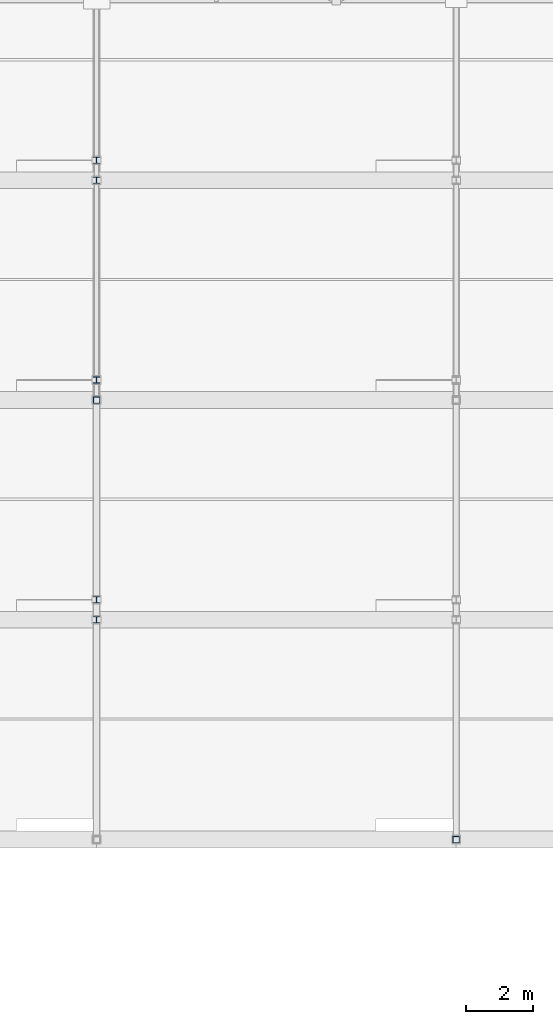
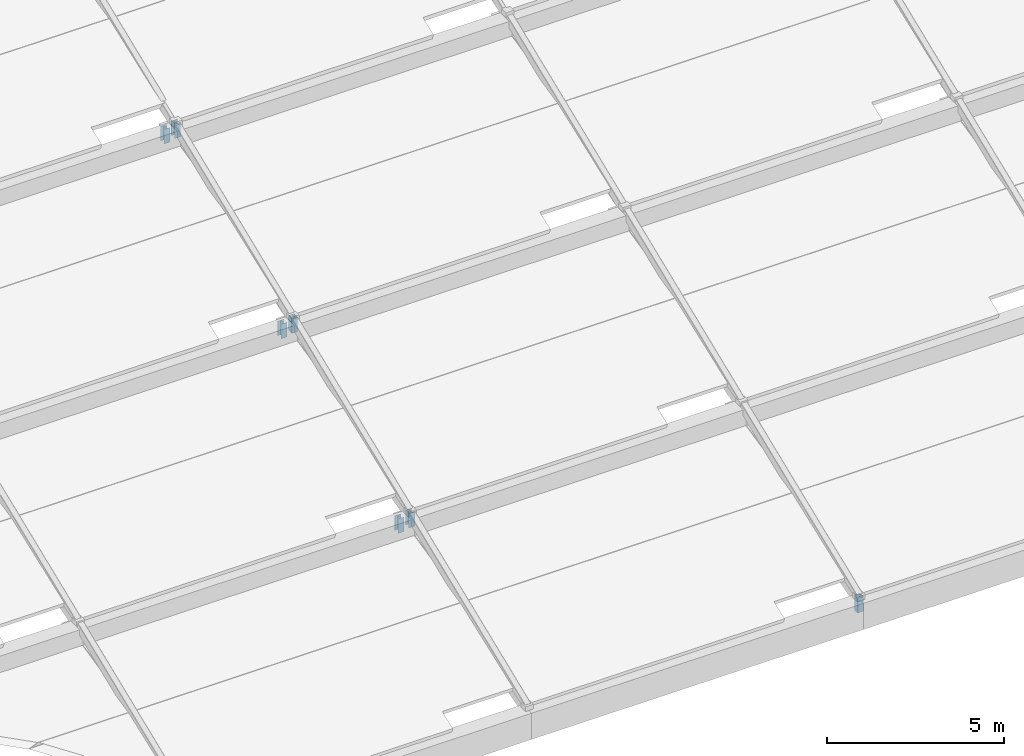
# One storey, part 70 of 112: 7 members.
"""IFC4 building model written with IfcOpenShell, lengths in metres."""

from ifc_helpers import new_model, si_unit, direction, frame, origin, origin_2d, place, context, subcontext, project, spatial, hollow_rectangle, i_section, extrude, material, material_profile, profile_set, type_object, element, save


model = new_model("IFC4")

# Units and contexts
model_context = context("Model", 3, precision=1e-05, world=origin(), true_north=direction((0.0, 1.0)))
body_context = subcontext(model_context, "Body", "Model", "MODEL_VIEW")
ifc_project = project(units=[si_unit("LENGTHUNIT", "METRE"), si_unit("AREAUNIT", "SQUARE_METRE"), si_unit("VOLUMEUNIT", "CUBIC_METRE"), si_unit("PLANEANGLEUNIT", "RADIAN"), si_unit("MASSUNIT", "GRAM", prefix="KILO")], contexts=[model_context])

# Site, building, storey
site_placement = place(None, origin())
site = spatial("IfcSite", under=ifc_project, at=site_placement, CompositionType="ELEMENT")
building_placement = place(site_placement, origin())
building = spatial("IfcBuilding", under=site, at=building_placement, Name="Zwinboog Wholesale Market", CompositionType="ELEMENT")
storey_placement = place(building_placement, frame((0.0, 0.0, 19.080078125)))
storey = spatial("IfcBuildingStorey", under=building, at=storey_placement, Name="Roof", CompositionType="ELEMENT", Elevation=19.080078125)

# Members
ifc_material = material(Name="Steel S355", Category="steel")
ifc_material_profile_1 = material_profile(ifc_material, hollow_rectangle(XDim=0.199951171875, YDim=0.199951171875, WallThickness=0.010009765625, InnerFilletRadius=0.010009765625, OuterFilletRadius=0.02001953125, at=origin_2d()), Name="SHS 200x200x10")
ifc_profile_set_1 = profile_set([ifc_material_profile_1], Name="Steel S355")
member_type_1 = type_object("IfcMemberType", Name="MT-04", PredefinedType="BRACE", material=ifc_profile_set_1)
for number, where, z_axis, x_axis, name in (
    (1, (86.39990234375, 56.39990234375, -4.630126953125), (0.0, 0.0, 1.0), (1.0, 0.0, 0.0), "DB-01 (MEM-Roof-0068)"),
    (2, (97.199951171875, 43.199951171875, -10.030029296875), (0.0, 0.0, 1.0), (1.0, 0.0, 0.0), "DB-01 (MEM-Roof-0092)"),
):
    element("IfcMember", number, at=place(storey_placement, frame(where, z_axis=z_axis, x_axis=x_axis)), inside=storey, type_object=member_type_1, Name=name, PredefinedType="BRACE", context=body_context, shape_type="SweptSolid", body=[
        extrude(hollow_rectangle(XDim=0.199951171875, YDim=0.199951171875, WallThickness=0.010009765625, InnerFilletRadius=0.010009765625, OuterFilletRadius=0.02001953125, at=origin_2d()), origin(), (0.0, 0.0, 1.0), 0.5),
    ])
ifc_material_profile_2 = material_profile(ifc_material, i_section(OverallWidth=0.199951171875, OverallDepth=0.18994140625, WebThickness=0.006591796875, FlangeThickness=0.010009765625, FilletRadius=0.01806640625, at=origin_2d()), Name="HEA 200")
ifc_profile_set_2 = profile_set([ifc_material_profile_2], Name="Steel S355")
member_type_2 = type_object("IfcMemberType", Name="MT-05", PredefinedType="BRACE", material=ifc_profile_set_2)
for number, where, z_axis, x_axis, name in (
    (3, (86.39990234375, 50.39990234375, -7.880126953125), (0.0, 0.0, 1.0), (1.0, 0.0, 0.0), "DB-02 (MEM-Roof-0063)"),
    (4, (86.39990234375, 49.800048828125, -7.330078125), (0.0, 0.0, 1.0), (1.0, 0.0, 0.0), "DB-02 (MEM-Roof-0065)"),
    (5, (86.39990234375, 57.0, -5.18017578125), (0.0, 0.0, 1.0), (1.0, 0.0, 0.0), "DB-02 (MEM-Roof-0066)"),
    (6, (86.39990234375, 63.60009765625, -2.47998046875), (0.0, 0.0, 1.0), (1.0, 0.0, 0.0), "DB-02 (MEM-Roof-0069)"),
    (7, (86.39990234375, 63.0, -1.93017578125), (0.0, 0.0, 1.0), (1.0, 0.0, 0.0), "DB-02 (MEM-Roof-0071)"),
):
    element("IfcMember", number, at=place(storey_placement, frame(where, z_axis=z_axis, x_axis=x_axis)), inside=storey, type_object=member_type_2, Name=name, PredefinedType="BRACE", context=body_context, shape_type="SweptSolid", body=[
        extrude(i_section(OverallWidth=0.199951171875, OverallDepth=0.18994140625, WebThickness=0.006591796875, FlangeThickness=0.010009765625, FilletRadius=0.01806640625, at=origin_2d()), origin(), (0.0, 0.0, 1.0), 0.5),
    ])

save(model, "model.ifc")
